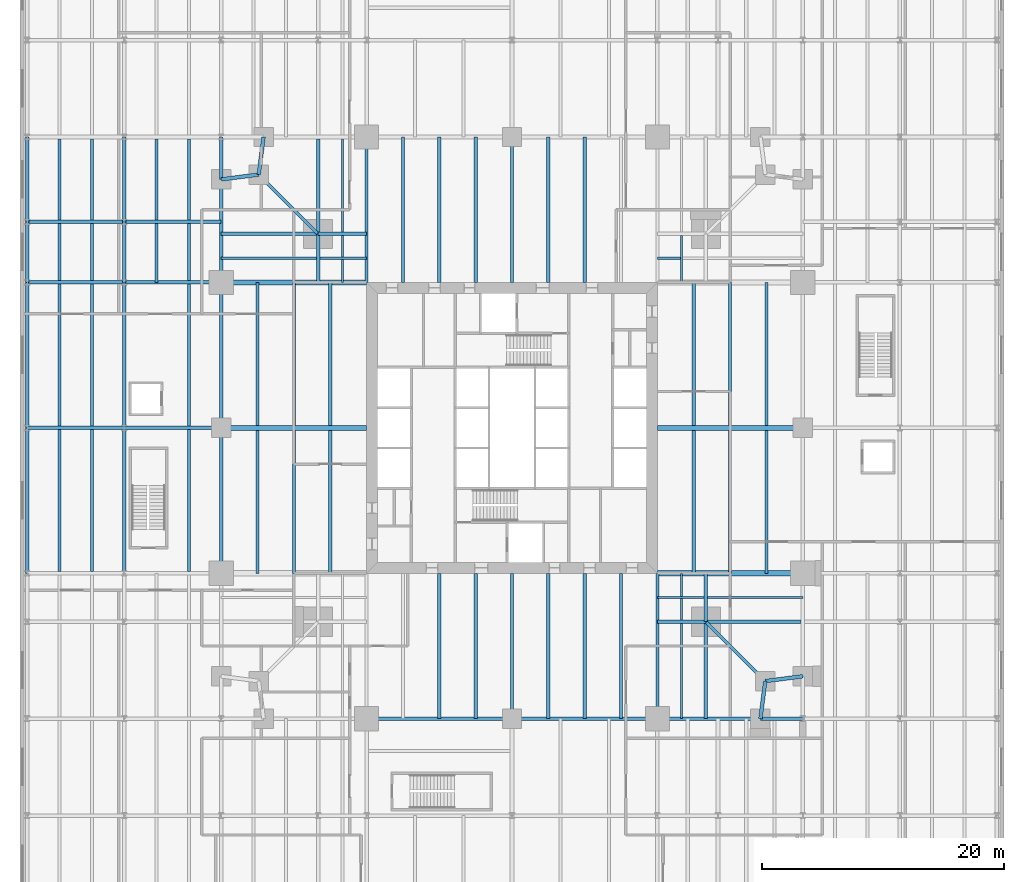
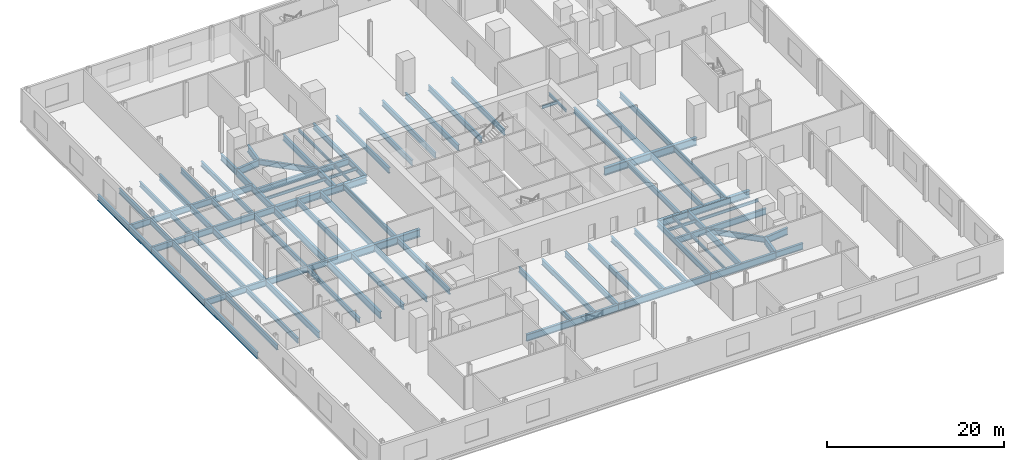
# One storey, part 5 of 16: 92 beams.
"""IFC4 building model written with IfcOpenShell, lengths in metres."""

import ifcopenshell
import ifcopenshell.guid

model = None  # the IFC model being written
_history = None  # IfcOwnerHistory: only IFC2X3 demands one
_inside = {}  # id of a spatial element -> (the spatial element, [elements in it])
_under = {}  # id of a project, library or spatial element -> (it, [spatial elements below it])
_declared = {}  # id of a project -> (the project, [libraries it declares])
_typed = {}  # id of a type object -> (the type object, [elements of that type])
_made_of = {}  # id of a material, layer set ... -> (it, [elements and type objects made of it])


def new_model(schema):
    """Start an empty IFC model of exactly this schema.

    Asked for "IFC4X3", IfcOpenShell would pick the latest addendum, in which some entities
    have other attributes; the version numbers below select the first issue.
    IFC2X3 requires an IfcOwnerHistory on every rooted entity: one is made here for all.
    """
    global model, _history
    if schema == "IFC4X3":
        model = ifcopenshell.file(schema_version=(4, 3, 0, 0))
    else:
        model = ifcopenshell.file(schema=schema)
    _inside.clear()
    _under.clear()
    _declared.clear()
    _typed.clear()
    _made_of.clear()
    _history = None
    if model.schema == "IFC2X3":
        org = make("IfcOrganization", Name="unknown")
        user = make(
            "IfcPersonAndOrganization",
            ThePerson=make("IfcPerson", FamilyName="unknown"),
            TheOrganization=org,
        )
        app = make(
            "IfcApplication",
            ApplicationDeveloper=org,
            Version="unknown",
            ApplicationFullName="unknown",
            ApplicationIdentifier="unknown",
        )
        _history = make(
            "IfcOwnerHistory",
            OwningUser=user,
            OwningApplication=app,
            ChangeAction="ADDED",
            CreationDate=0,
        )
    return model


def make(cls, **values):
    """One entity of the class cls with the attributes given. An attribute that is None is left unset."""
    return model.create_entity(
        cls, **{name: value for name, value in values.items() if value is not None}
    )


def rooted(cls, **values):
    """An entity with a GlobalId (a new one), such as an element, a storey or a relation."""
    return make(cls, GlobalId=ifcopenshell.guid.new(), OwnerHistory=_history, **values)


def si_unit(unit_type, name, prefix=None):
    """IfcSIUnit, for example si_unit("LENGTHUNIT", "METRE", prefix="MILLI")."""
    return make("IfcSIUnit", UnitType=unit_type, Prefix=prefix, Name=name)


def assignment(units):
    """IfcUnitAssignment: the units of a project."""
    return None if units is None else make("IfcUnitAssignment", Units=units)


def point(xyz):
    """IfcCartesianPoint."""
    return None if xyz is None else make("IfcCartesianPoint", Coordinates=xyz)


def direction(xyz):
    """IfcDirection."""
    return None if xyz is None else make("IfcDirection", DirectionRatios=xyz)


def frame(location, z_axis=None, x_axis=None):
    """IfcAxis2Placement3D, a coordinate frame: its origin and axes. An axis left out is left unset."""
    return make(
        "IfcAxis2Placement3D",
        Location=point(location),
        Axis=direction(z_axis),
        RefDirection=direction(x_axis),
    )


def frame_2d(location, x_axis=None):
    """IfcAxis2Placement2D, a coordinate frame in the plane: its origin and x axis."""
    return make(
        "IfcAxis2Placement2D", Location=point(location), RefDirection=direction(x_axis)
    )


def origin():
    """The frame at (0, 0, 0) with its axes left unset."""
    return frame((0.0, 0.0, 0.0))


def origin_2d():
    """The frame at (0, 0) in the plane with its x axis left unset."""
    return frame_2d((0.0, 0.0))


def place(relative_to, where):
    """IfcLocalPlacement: puts the frame where relative to a parent placement (None: the world)."""
    return make(
        "IfcLocalPlacement", PlacementRelTo=relative_to, RelativePlacement=where
    )


def context(
    kind, dimensions, precision=None, world=None, true_north=None, identifier=None
):
    """IfcGeometricRepresentationContext, for example the 3D "Model" context."""
    return make(
        "IfcGeometricRepresentationContext",
        ContextIdentifier=identifier,
        ContextType=kind,
        CoordinateSpaceDimension=dimensions,
        Precision=precision,
        WorldCoordinateSystem=world,
        TrueNorth=true_north,
    )


def subcontext(parent, identifier, kind, view, scale=None):
    """IfcGeometricRepresentationSubContext, for example "Body" below "Model"."""
    return make(
        "IfcGeometricRepresentationSubContext",
        ContextIdentifier=identifier,
        ContextType=kind,
        ParentContext=parent,
        TargetScale=scale,
        TargetView=view,
    )


def project(units=None, contexts=None):
    """IfcProject with its units and contexts."""
    return rooted(
        "IfcProject",
        Name="project",
        RepresentationContexts=contexts,
        UnitsInContext=assignment(units),
    )


def spatial(cls, under=None, at=None, **own):
    """A site, building, storey or space (cls), placed at a placement, below another one or the project."""
    s = rooted(cls, ObjectPlacement=at, **own)
    if under is not None:
        _under.setdefault(under.id(), (under, []))[1].append(s)
    return s


def profile(cls, at=None, kind="AREA", **sizes):
    """A parametric profile (cls). Its sizes go by their IFC names, for example OverallWidth=200.0."""
    return make(cls, ProfileType=kind, Position=at, **sizes)


def i_section(**sizes):
    """IfcIShapeProfileDef."""
    return profile("IfcIShapeProfileDef", **sizes)


def extrude(swept, where, along, depth):
    """IfcExtrudedAreaSolid: the profile swept, set in the frame where, extruded along a direction by depth."""
    return make(
        "IfcExtrudedAreaSolid",
        SweptArea=swept,
        Position=where,
        ExtrudedDirection=direction(along),
        Depth=depth,
    )


def shape(context_of_items, identifier, shape_type, items):
    """IfcShapeRepresentation: the items that make up one representation, for example the "Body"."""
    return make(
        "IfcShapeRepresentation",
        ContextOfItems=context_of_items,
        RepresentationIdentifier=identifier,
        RepresentationType=shape_type,
        Items=items,
    )


def material(Name=None, Category=None):
    """IfcMaterial."""
    return make("IfcMaterial", Name=Name, Category=Category)


def material_profile(
    of_material, cross_section, Name=None, Category=None, Priority=None
):
    """IfcMaterialProfile: a cross section and its material."""
    return make(
        "IfcMaterialProfile",
        Name=Name,
        Material=of_material,
        Profile=cross_section,
        Priority=Priority,
        Category=Category,
    )


def profile_set(profiles, Name=None, composite=None):
    """IfcMaterialProfileSet."""
    return make(
        "IfcMaterialProfileSet",
        Name=Name,
        MaterialProfiles=profiles,
        CompositeProfile=composite,
    )


def made_of(thing, what):
    """Note that an element or type object is made of a material, layer set ...; save() writes the relation."""
    if what is not None:
        _made_of.setdefault(what.id(), (what, []))[1].append(thing)
    return thing


def type_object(cls, material=None, **own):
    """A type object (cls), such as IfcWallType, which elements share."""
    return made_of(rooted(cls, **own), material)


def element(
    cls,
    number,
    at=None,
    inside=None,
    cuts=None,
    type_object=None,
    material=None,
    context=None,
    identifier="Body",
    shape_type=None,
    held_by="IfcProductDefinitionShape",
    body=None,
    shapes=None,
    **own,
):
    """One element of the class cls, such as IfcWall. Its Tag is "e" and its number.

    at: its placement. inside: the storey or other place that contains it. cuts: it is an
    opening in that element (IfcRelVoidsElement). A single representation is given by context,
    identifier, shape_type and body (its items); several are given by shapes. held_by: the class
    of the entity that holds the representations. save() writes the other relations.
    """
    e = rooted(cls, Tag="e%d" % number, ObjectPlacement=at, **own)
    if body is not None:
        shapes = [shape(context, identifier, shape_type, body)]
    if shapes is not None:
        e.Representation = make(held_by, Representations=shapes)
    if inside is not None:
        _inside.setdefault(inside.id(), (inside, []))[1].append(e)
    if cuts is not None:
        rooted(
            "IfcRelVoidsElement", RelatingBuildingElement=cuts, RelatedOpeningElement=e
        )
    if type_object is not None:
        _typed.setdefault(type_object.id(), (type_object, []))[1].append(e)
    return made_of(e, material)


def aggregate(whole, parts):
    """IfcRelAggregates: a whole, such as a stair, and the parts it consists of."""
    return rooted("IfcRelAggregates", RelatingObject=whole, RelatedObjects=parts)


def save(model, path):
    """Write the relations noted so far, then the file.

    IfcRelAggregates (storeys below a building ...), IfcRelContainedInSpatialStructure (elements
    in a storey), IfcRelDefinesByType, IfcRelAssociatesMaterial and IfcRelDeclares: one each for
    every whole, place, type object, material and project.
    """
    for whole, parts in _under.values():
        aggregate(whole, parts)
    for where, things in _inside.values():
        rooted(
            "IfcRelContainedInSpatialStructure",
            RelatedElements=things,
            RelatingStructure=where,
        )
    for kind, things in _typed.values():
        rooted("IfcRelDefinesByType", RelatedObjects=things, RelatingType=kind)
    for what, things in _made_of.values():
        rooted("IfcRelAssociatesMaterial", RelatedObjects=things, RelatingMaterial=what)
    for by, libraries in _declared.values():
        rooted("IfcRelDeclares", RelatingContext=by, RelatedDefinitions=libraries)
    model.write(path)


model = new_model("IFC4")

# Units and contexts
model_context = context("Model", 3, precision=1e-05, world=origin(), true_north=direction((0.0, 1.0)))
body_context = subcontext(model_context, "Body", "Model", "MODEL_VIEW")
ifc_project = project(units=[si_unit("LENGTHUNIT", "METRE"), si_unit("AREAUNIT", "SQUARE_METRE"), si_unit("VOLUMEUNIT", "CUBIC_METRE"), si_unit("PLANEANGLEUNIT", "RADIAN"), si_unit("MASSUNIT", "GRAM", prefix="KILO")], contexts=[model_context])

# Site, building, storey
site_placement = place(None, origin())
site = spatial("IfcSite", under=ifc_project, at=site_placement, CompositionType="ELEMENT")
building_placement = place(site_placement, origin())
building = spatial("IfcBuilding", under=site, at=building_placement, Name="Fenwick Lantern Interchange", CompositionType="ELEMENT")
storey_placement = place(building_placement, frame((0.0, 0.0, 7.0)))
storey = spatial("IfcBuildingStorey", under=building, at=storey_placement, Name="L01", CompositionType="ELEMENT", Elevation=7.0)

# Beams
ifc_material = material(Name="Steel ASTM A992 Grade 50", Category="steel")
ifc_material_profile_1 = material_profile(ifc_material, i_section(OverallWidth=0.309814453125, OverallDepth=0.949951171875, WebThickness=0.0244140625, FlangeThickness=0.0439453125, at=origin_2d()), Name="W36X256")
ifc_profile_set_1 = profile_set([ifc_material_profile_1], Name="Steel ASTM A992 Grade 50")
beam_type_1 = type_object("IfcBeamType", Name="EDGE BEAM W36X256", PredefinedType="SPANDREL", material=ifc_profile_set_1)
for number, where, z_axis, x_axis, name in (
    (1, (13.0, 1.0, -0.675048828125), (1.0, 0.0, 0.0), (0.0, 1.0, 0.0), "L01/FR/S/EB2"),
    (2, (25.0, 1.0, -0.675048828125), (1.0, 0.0, 0.0), (0.0, 1.0, 0.0), "L01/FR/S/EB3"),
):
    element("IfcBeam", number, at=place(storey_placement, frame(where, z_axis=z_axis, x_axis=x_axis)), inside=storey, type_object=beam_type_1, Name=name, PredefinedType="SPANDREL", context=body_context, shape_type="SweptSolid", body=[
        extrude(i_section(OverallWidth=0.309814453125, OverallDepth=0.949951171875, WebThickness=0.0244140625, FlangeThickness=0.0439453125, at=origin_2d()), origin(), (0.0, 0.0, 1.0), 12.0),
    ])
beam_1_placement = place(storey_placement, frame((37.0, 1.0, -0.675048828125), z_axis=(1.0, 0.0, 0.0), x_axis=(0.0, 1.0, 0.0)))
element("IfcBeam", 3, at=beam_1_placement, inside=storey, type_object=beam_type_1, Name="L01/FR/S/EB4", PredefinedType="SPANDREL", context=body_context, shape_type="SweptSolid", body=[
    extrude(i_section(OverallWidth=0.309814453125, OverallDepth=0.949951171875, WebThickness=0.0244140625, FlangeThickness=0.0439453125, at=origin_2d()), origin(), (0.0, 0.0, 1.0), 8.5),
])
for number, where, z_axis, x_axis, name in (
    (4, (45.5, 1.0, -0.675048828125), (0.127936641807, 0.991782342897, 0.0), (-0.991782342897, 0.127936641807, 0.0), "L01/FR/S/EBR1"),
    (5, (45.89990234375, 4.10009765625, -0.675048828125), (0.991782342897, 0.127936641807, 0.0), (-0.127936641807, 0.991782342897, 0.0), "L01/FR/S/EBR2"),
    (6, (4.5, 49.0, -0.675048828125), (-0.127936641807, -0.991782342897, 0.0), (0.991782342897, -0.127936641807, 0.0), "L01/FR/N/EBR1"),
    (7, (4.10009765625, 45.89990234375, -0.675048828125), (-0.991782342897, -0.127936641807, 0.0), (0.127936641807, -0.991782342897, 0.0), "L01/FR/N/EBR2"),
):
    element("IfcBeam", number, at=place(storey_placement, frame(where, z_axis=z_axis, x_axis=x_axis)), inside=storey, type_object=beam_type_1, Name=name, PredefinedType="SPANDREL", context=body_context, shape_type="SweptSolid", body=[
        extrude(i_section(OverallWidth=0.309814453125, OverallDepth=0.949951171875, WebThickness=0.0244140625, FlangeThickness=0.0439453125, at=origin_2d()), origin(), (0.0, 0.0, 1.0), 3.125732421875),
    ])
beam_2_placement = place(storey_placement, frame((1.0, 45.5, -0.675048828125), z_axis=(0.0, -1.0, 0.0), x_axis=(1.0, 0.0, 0.0)))
element("IfcBeam", 8, at=beam_2_placement, inside=storey, type_object=beam_type_1, Name="L01/FR/W/EB1", PredefinedType="SPANDREL", context=body_context, shape_type="SweptSolid", body=[
    extrude(i_section(OverallWidth=0.309814453125, OverallDepth=0.949951171875, WebThickness=0.0244140625, FlangeThickness=0.0439453125, at=origin_2d()), origin(), (0.0, 0.0, 1.0), 8.5),
])
for number, where, z_axis, x_axis, name in (
    (9, (1.0, 37.0, -0.675048828125), (0.0, -1.0, 0.0), (1.0, 0.0, 0.0), "L01/FR/W/EB2"),
    (10, (1.0, 25.0, -0.675048828125), (0.0, -1.0, 0.0), (1.0, 0.0, 0.0), "L01/FR/W/EB3"),
):
    element("IfcBeam", number, at=place(storey_placement, frame(where, z_axis=z_axis, x_axis=x_axis)), inside=storey, type_object=beam_type_1, Name=name, PredefinedType="SPANDREL", context=body_context, shape_type="SweptSolid", body=[
        extrude(i_section(OverallWidth=0.309814453125, OverallDepth=0.949951171875, WebThickness=0.0244140625, FlangeThickness=0.0439453125, at=origin_2d()), origin(), (0.0, 0.0, 1.0), 12.0),
    ])
ifc_material_profile_2 = material_profile(ifc_material, i_section(OverallWidth=0.2666015625, OverallDepth=0.7568359375, WebThickness=0.013916015625, FlangeThickness=0.019287109375, at=origin_2d()), Name="W30X108")
ifc_profile_set_2 = profile_set([ifc_material_profile_2], Name="Steel ASTM A992 Grade 50")
beam_type_2 = type_object("IfcBeamType", Name="FLOOR BEAM W30X108", PredefinedType="BEAM", material=ifc_profile_set_2)
for number, where, z_axis, x_axis, name in (
    (11, (19.0, 1.0, -0.578369140625), (0.0, 1.0, 0.0), (-1.0, 0.0, 0.0), "L01/FR/S/R03"),
    (12, (22.0, 1.0, -0.578369140625), (0.0, 1.0, 0.0), (-1.0, 0.0, 0.0), "L01/FR/S/R04"),
    (13, (28.0, 1.0, -0.578369140625), (0.0, 1.0, 0.0), (-1.0, 0.0, 0.0), "L01/FR/S/R06"),
    (14, (31.0, 1.0, -0.578369140625), (0.0, 1.0, 0.0), (-1.0, 0.0, 0.0), "L01/FR/S/R07"),
    (15, (34.0, 1.0, -0.578369140625), (0.0, 1.0, 0.0), (-1.0, 0.0, 0.0), "L01/FR/S/R08"),
):
    element("IfcBeam", number, at=place(storey_placement, frame(where, z_axis=z_axis, x_axis=x_axis)), inside=storey, type_object=beam_type_2, Name=name, PredefinedType="BEAM", context=body_context, shape_type="SweptSolid", body=[
        extrude(i_section(OverallWidth=0.2666015625, OverallDepth=0.7568359375, WebThickness=0.013916015625, FlangeThickness=0.019287109375, at=origin_2d()), origin(), (0.0, 0.0, 1.0), 12.0),
    ])
for number, where, z_axis, x_axis, name in (
    (16, (46.0, 13.0, -0.578369140625), (0.0, 1.0, 0.0), (-1.0, 0.0, 0.0), "L01/FR/E/B01"),
    (17, (43.0, 13.0, -0.578369140625), (0.0, 1.0, 0.0), (-1.0, 0.0, 0.0), "L01/FR/E/B02"),
    (18, (40.0, 13.0, -0.578369140625), (0.0, 1.0, 0.0), (-1.0, 0.0, 0.0), "L01/FR/E/B03"),
    (19, (46.0, 25.20458984375, -0.578369140625), (0.0, 1.0, 0.0), (-1.0, 0.0, 0.0), "L01/FR/E/B04"),
    (20, (43.0, 25.20458984375, -0.578369140625), (0.0, 1.0, 0.0), (-1.0, 0.0, 0.0), "L01/FR/E/B05"),
    (21, (40.0, 25.20458984375, -0.578369140625), (0.0, 1.0, 0.0), (-1.0, 0.0, 0.0), "L01/FR/E/B06"),
):
    element("IfcBeam", number, at=place(storey_placement, frame(where, z_axis=z_axis, x_axis=x_axis)), inside=storey, type_object=beam_type_2, Name=name, PredefinedType="BEAM", context=body_context, shape_type="SweptSolid", body=[
        extrude(i_section(OverallWidth=0.2666015625, OverallDepth=0.7568359375, WebThickness=0.013916015625, FlangeThickness=0.019287109375, at=origin_2d()), origin(), (0.0, 0.0, 1.0), 11.79541015625),
    ])
for number, where, z_axis, x_axis, name in (
    (22, (31.0, 49.0, -0.578369140625), (0.0, -1.0, 0.0), (1.0, 0.0, 0.0), "L01/FR/N/R03"),
    (23, (28.0, 49.0, -0.578369140625), (0.0, -1.0, 0.0), (1.0, 0.0, 0.0), "L01/FR/N/R04"),
    (24, (22.0, 49.0, -0.578369140625), (0.0, -1.0, 0.0), (1.0, 0.0, 0.0), "L01/FR/N/R06"),
    (25, (19.0, 49.0, -0.578369140625), (0.0, -1.0, 0.0), (1.0, 0.0, 0.0), "L01/FR/N/R07"),
    (26, (16.0, 49.0, -0.578369140625), (0.0, -1.0, 0.0), (1.0, 0.0, 0.0), "L01/FR/N/R08"),
):
    element("IfcBeam", number, at=place(storey_placement, frame(where, z_axis=z_axis, x_axis=x_axis)), inside=storey, type_object=beam_type_2, Name=name, PredefinedType="BEAM", context=body_context, shape_type="SweptSolid", body=[
        extrude(i_section(OverallWidth=0.2666015625, OverallDepth=0.7568359375, WebThickness=0.013916015625, FlangeThickness=0.019287109375, at=origin_2d()), origin(), (0.0, 0.0, 1.0), 12.0),
    ])
for number, where, z_axis, x_axis, name in (
    (27, (4.0, 37.0, -0.578369140625), (0.0, -1.0, 0.0), (1.0, 0.0, 0.0), "L01/FR/W/B01"),
    (28, (7.0, 37.0, -0.578369140625), (0.0, -1.0, 0.0), (1.0, 0.0, 0.0), "L01/FR/W/B02"),
    (29, (10.0, 37.0, -0.578369140625), (0.0, -1.0, 0.0), (1.0, 0.0, 0.0), "L01/FR/W/B03"),
    (30, (4.0, 24.79541015625, -0.578369140625), (0.0, -1.0, 0.0), (1.0, 0.0, 0.0), "L01/FR/W/B04"),
    (31, (7.0, 24.79541015625, -0.578369140625), (0.0, -1.0, 0.0), (1.0, 0.0, 0.0), "L01/FR/W/B05"),
    (32, (10.0, 24.79541015625, -0.578369140625), (0.0, -1.0, 0.0), (1.0, 0.0, 0.0), "L01/FR/W/B06"),
):
    element("IfcBeam", number, at=place(storey_placement, frame(where, z_axis=z_axis, x_axis=x_axis)), inside=storey, type_object=beam_type_2, Name=name, PredefinedType="BEAM", context=body_context, shape_type="SweptSolid", body=[
        extrude(i_section(OverallWidth=0.2666015625, OverallDepth=0.7568359375, WebThickness=0.013916015625, FlangeThickness=0.019287109375, at=origin_2d()), origin(), (0.0, 0.0, 1.0), 11.79541015625),
    ])
ifc_material_profile_3 = material_profile(ifc_material, i_section(OverallWidth=0.177734375, OverallDepth=0.406494140625, WebThickness=0.0078125, FlangeThickness=0.012939453125, at=origin_2d()), Name="W16X40")
ifc_profile_set_3 = profile_set([ifc_material_profile_3], Name="Steel ASTM A992 Grade 50")
beam_type_3 = type_object("IfcBeamType", Name="INFILL BEAM W16X40", PredefinedType="JOIST", material=ifc_profile_set_3)
beam_3_placement = place(storey_placement, frame((49.0, 11.0, -0.4033203125), z_axis=(-1.0, 0.0, 0.0), x_axis=(0.0, -1.0, 0.0)))
element("IfcBeam", 33, at=beam_3_placement, inside=storey, type_object=beam_type_3, Name="L01/FR/E/J1", PredefinedType="JOIST", context=body_context, shape_type="SweptSolid", body=[
    extrude(i_section(OverallWidth=0.177734375, OverallDepth=0.406494140625, WebThickness=0.0078125, FlangeThickness=0.012939453125, at=origin_2d()), origin(), (0.0, 0.0, 1.0), 7.85400390625),
])
beam_4_placement = place(storey_placement, frame((40.85400390625, 11.0, -0.4033203125), z_axis=(-1.0, 0.0, 0.0), x_axis=(0.0, -1.0, 0.0)))
element("IfcBeam", 34, at=beam_4_placement, inside=storey, type_object=beam_type_3, Name="L01/FR/E/J2", PredefinedType="JOIST", context=body_context, shape_type="SweptSolid", body=[
    extrude(i_section(OverallWidth=0.177734375, OverallDepth=0.406494140625, WebThickness=0.0078125, FlangeThickness=0.012939453125, at=origin_2d()), origin(), (0.0, 0.0, 1.0), 3.85400390625),
])
beam_5_placement = place(storey_placement, frame((39.0, 1.0, -0.4033203125), z_axis=(0.0, 1.0, 0.0), x_axis=(-1.0, 0.0, 0.0)))
element("IfcBeam", 35, at=beam_5_placement, inside=storey, type_object=beam_type_3, Name="L01/FR/E/J3", PredefinedType="JOIST", context=body_context, shape_type="SweptSolid", body=[
    extrude(i_section(OverallWidth=0.177734375, OverallDepth=0.406494140625, WebThickness=0.0078125, FlangeThickness=0.012939453125, at=origin_2d()), origin(), (0.0, 0.0, 1.0), 7.85400390625),
])
beam_6_placement = place(storey_placement, frame((39.0, 9.14599609375, -0.4033203125), z_axis=(0.0, 1.0, 0.0), x_axis=(-1.0, 0.0, 0.0)))
element("IfcBeam", 36, at=beam_6_placement, inside=storey, type_object=beam_type_3, Name="L01/FR/E/J4", PredefinedType="JOIST", context=body_context, shape_type="SweptSolid", body=[
    extrude(i_section(OverallWidth=0.177734375, OverallDepth=0.406494140625, WebThickness=0.0078125, FlangeThickness=0.012939453125, at=origin_2d()), origin(), (0.0, 0.0, 1.0), 1.76513671875),
])
beam_7_placement = place(storey_placement, frame((39.0, 11.0888671875, -0.4033203125), z_axis=(0.0, 1.0, 0.0), x_axis=(-1.0, 0.0, 0.0)))
element("IfcBeam", 37, at=beam_7_placement, inside=storey, type_object=beam_type_3, Name="L01/FR/E/J5", PredefinedType="JOIST", context=body_context, shape_type="SweptSolid", body=[
    extrude(i_section(OverallWidth=0.177734375, OverallDepth=0.406494140625, WebThickness=0.0078125, FlangeThickness=0.012939453125, at=origin_2d()), origin(), (0.0, 0.0, 1.0), 1.9111328125),
])
beam_8_placement = place(storey_placement, frame((39.0, 40.85400390625, -0.4033203125), z_axis=(0.0, -1.0, 0.0), x_axis=(1.0, 0.0, 0.0)))
element("IfcBeam", 38, at=beam_8_placement, inside=storey, type_object=beam_type_3, Name="L01/FR/N/J2", PredefinedType="JOIST", context=body_context, shape_type="SweptSolid", body=[
    extrude(i_section(OverallWidth=0.177734375, OverallDepth=0.406494140625, WebThickness=0.0078125, FlangeThickness=0.012939453125, at=origin_2d()), origin(), (0.0, 0.0, 1.0), 3.85400390625),
])
beam_9_placement = place(storey_placement, frame((38.9111328125, 39.0, -0.4033203125), z_axis=(-1.0, 0.0, 0.0), x_axis=(0.0, -1.0, 0.0)))
element("IfcBeam", 39, at=beam_9_placement, inside=storey, type_object=beam_type_3, Name="L01/FR/N/J5", PredefinedType="JOIST", context=body_context, shape_type="SweptSolid", body=[
    extrude(i_section(OverallWidth=0.177734375, OverallDepth=0.406494140625, WebThickness=0.0078125, FlangeThickness=0.012939453125, at=origin_2d()), origin(), (0.0, 0.0, 1.0), 1.9111328125),
])
beam_10_placement = place(storey_placement, frame((1.0, 39.0, -0.4033203125), z_axis=(1.0, 0.0, 0.0), x_axis=(0.0, 1.0, 0.0)))
element("IfcBeam", 40, at=beam_10_placement, inside=storey, type_object=beam_type_3, Name="L01/FR/W/J1", PredefinedType="JOIST", context=body_context, shape_type="SweptSolid", body=[
    extrude(i_section(OverallWidth=0.177734375, OverallDepth=0.406494140625, WebThickness=0.0078125, FlangeThickness=0.012939453125, at=origin_2d()), origin(), (0.0, 0.0, 1.0), 7.85400390625),
])
beam_11_placement = place(storey_placement, frame((9.14599609375, 39.0, -0.4033203125), z_axis=(1.0, 0.0, 0.0), x_axis=(0.0, 1.0, 0.0)))
element("IfcBeam", 41, at=beam_11_placement, inside=storey, type_object=beam_type_3, Name="L01/FR/W/J2", PredefinedType="JOIST", context=body_context, shape_type="SweptSolid", body=[
    extrude(i_section(OverallWidth=0.177734375, OverallDepth=0.406494140625, WebThickness=0.0078125, FlangeThickness=0.012939453125, at=origin_2d()), origin(), (0.0, 0.0, 1.0), 3.85400390625),
])
beam_12_placement = place(storey_placement, frame((11.0, 48.844970703125, -0.4033203125), z_axis=(0.0, -1.0, 0.0), x_axis=(1.0, 0.0, 0.0)))
element("IfcBeam", 42, at=beam_12_placement, inside=storey, type_object=beam_type_3, Name="L01/FR/W/J3", PredefinedType="JOIST", context=body_context, shape_type="SweptSolid", body=[
    extrude(i_section(OverallWidth=0.177734375, OverallDepth=0.406494140625, WebThickness=0.0078125, FlangeThickness=0.012939453125, at=origin_2d()), origin(), (0.0, 0.0, 1.0), 7.698974609375),
])
beam_13_placement = place(storey_placement, frame((11.0, 40.85400390625, -0.4033203125), z_axis=(0.0, -1.0, 0.0), x_axis=(1.0, 0.0, 0.0)))
element("IfcBeam", 43, at=beam_13_placement, inside=storey, type_object=beam_type_3, Name="L01/FR/W/J4", PredefinedType="JOIST", context=body_context, shape_type="SweptSolid", body=[
    extrude(i_section(OverallWidth=0.177734375, OverallDepth=0.406494140625, WebThickness=0.0078125, FlangeThickness=0.012939453125, at=origin_2d()), origin(), (0.0, 0.0, 1.0), 1.76513671875),
])
beam_14_placement = place(storey_placement, frame((11.0, 38.9111328125, -0.4033203125), z_axis=(0.0, -1.0, 0.0), x_axis=(1.0, 0.0, 0.0)))
element("IfcBeam", 44, at=beam_14_placement, inside=storey, type_object=beam_type_3, Name="L01/FR/W/J5", PredefinedType="JOIST", context=body_context, shape_type="SweptSolid", body=[
    extrude(i_section(OverallWidth=0.177734375, OverallDepth=0.406494140625, WebThickness=0.0078125, FlangeThickness=0.012939453125, at=origin_2d()), origin(), (0.0, 0.0, 1.0), 1.9111328125),
])
ifc_material_profile_4 = material_profile(ifc_material, i_section(OverallWidth=0.2919921875, OverallDepth=0.845703125, WebThickness=0.015380859375, FlangeThickness=0.0244140625, at=origin_2d()), Name="W33X141")
ifc_profile_set_4 = profile_set([ifc_material_profile_4], Name="Steel ASTM A992 Grade 50")
beam_type_4 = type_object("IfcBeamType", Name="MEGA COLUMN BEAM W33X141", PredefinedType="BEAM", material=ifc_profile_set_4)
beam_15_placement = place(storey_placement, frame((41.0, 9.0, -0.622802734375), z_axis=(1.0, 0.0, 0.0), x_axis=(0.0, 1.0, 0.0)))
element("IfcBeam", 45, at=beam_15_placement, inside=storey, type_object=beam_type_4, Name="L01/FR/E/MB1", PredefinedType="BEAM", context=body_context, shape_type="SweptSolid", body=[
    extrude(i_section(OverallWidth=0.2919921875, OverallDepth=0.845703125, WebThickness=0.015380859375, FlangeThickness=0.0244140625, at=origin_2d()), origin(), (0.0, 0.0, 1.0), 7.844970703125),
])
beam_16_placement = place(storey_placement, frame((41.0, 9.0, -0.622802734375), z_axis=(0.0, -1.0, 0.0), x_axis=(1.0, 0.0, 0.0)))
element("IfcBeam", 46, at=beam_16_placement, inside=storey, type_object=beam_type_4, Name="L01/FR/E/MB2", PredefinedType="BEAM", context=body_context, shape_type="SweptSolid", body=[
    extrude(i_section(OverallWidth=0.2919921875, OverallDepth=0.845703125, WebThickness=0.015380859375, FlangeThickness=0.0244140625, at=origin_2d()), origin(), (0.0, 0.0, 1.0), 8.0),
])
for number, where, z_axis, x_axis, name in (
    (47, (41.0, 9.0, -0.622802734375), (0.0, 1.0, 0.0), (-1.0, 0.0, 0.0), "L01/FR/E/MB3"),
    (48, (41.0, 9.0, -0.622802734375), (-1.0, 0.0, 0.0), (0.0, -1.0, 0.0), "L01/FR/E/MB4"),
):
    element("IfcBeam", number, at=place(storey_placement, frame(where, z_axis=z_axis, x_axis=x_axis)), inside=storey, type_object=beam_type_4, Name=name, PredefinedType="BEAM", context=body_context, shape_type="SweptSolid", body=[
        extrude(i_section(OverallWidth=0.2919921875, OverallDepth=0.845703125, WebThickness=0.015380859375, FlangeThickness=0.0244140625, at=origin_2d()), origin(), (0.0, 0.0, 1.0), 4.0),
    ])
beam_17_placement = place(storey_placement, frame((9.0, 41.0, -0.622802734375), z_axis=(-1.0, 0.0, 0.0), x_axis=(0.0, -1.0, 0.0)))
element("IfcBeam", 49, at=beam_17_placement, inside=storey, type_object=beam_type_4, Name="L01/FR/W/MB1", PredefinedType="BEAM", context=body_context, shape_type="SweptSolid", body=[
    extrude(i_section(OverallWidth=0.2919921875, OverallDepth=0.845703125, WebThickness=0.015380859375, FlangeThickness=0.0244140625, at=origin_2d()), origin(), (0.0, 0.0, 1.0), 8.0),
])
beam_18_placement = place(storey_placement, frame((9.0, 41.0, -0.622802734375), z_axis=(0.0, 1.0, 0.0), x_axis=(-1.0, 0.0, 0.0)))
element("IfcBeam", 50, at=beam_18_placement, inside=storey, type_object=beam_type_4, Name="L01/FR/W/MB2", PredefinedType="BEAM", context=body_context, shape_type="SweptSolid", body=[
    extrude(i_section(OverallWidth=0.2919921875, OverallDepth=0.845703125, WebThickness=0.015380859375, FlangeThickness=0.0244140625, at=origin_2d()), origin(), (0.0, 0.0, 1.0), 7.844970703125),
])
for number, where, z_axis, x_axis, name in (
    (51, (9.0, 41.0, -0.622802734375), (0.0, -1.0, 0.0), (1.0, 0.0, 0.0), "L01/FR/W/MB3"),
    (52, (9.0, 41.0, -0.622802734375), (1.0, 0.0, 0.0), (0.0, 1.0, 0.0), "L01/FR/W/MB4"),
):
    element("IfcBeam", number, at=place(storey_placement, frame(where, z_axis=z_axis, x_axis=x_axis)), inside=storey, type_object=beam_type_4, Name=name, PredefinedType="BEAM", context=body_context, shape_type="SweptSolid", body=[
        extrude(i_section(OverallWidth=0.2919921875, OverallDepth=0.845703125, WebThickness=0.015380859375, FlangeThickness=0.0244140625, at=origin_2d()), origin(), (0.0, 0.0, 1.0), 4.0),
    ])
ifc_material_profile_5 = material_profile(ifc_material, i_section(OverallWidth=0.2666015625, OverallDepth=0.76953125, WebThickness=0.015625, FlangeThickness=0.025390625, at=origin_2d()), Name="W30X132")
ifc_profile_set_5 = profile_set([ifc_material_profile_5], Name="Steel ASTM A992 Grade 50")
beam_type_5 = type_object("IfcBeamType", Name="MOMENT-CONNECTED GIRDER W30X132", PredefinedType="BEAM", material=ifc_profile_set_5)
for number, where, z_axis, x_axis, name in (
    (53, (25.0, 1.0, -0.584716796875), (0.0, 1.0, 0.0), (-1.0, 0.0, 0.0), "L01/FR/S/R05"),
    (54, (37.0, 1.0, -0.584716796875), (0.0, 1.0, 0.0), (-1.0, 0.0, 0.0), "L01/FR/S/R09"),
    (55, (25.0, 49.0, -0.584716796875), (0.0, -1.0, 0.0), (1.0, 0.0, 0.0), "L01/FR/N/R05"),
    (56, (13.0, 49.0, -0.584716796875), (0.0, -1.0, 0.0), (1.0, 0.0, 0.0), "L01/FR/N/R09"),
):
    element("IfcBeam", number, at=place(storey_placement, frame(where, z_axis=z_axis, x_axis=x_axis)), inside=storey, type_object=beam_type_5, Name=name, PredefinedType="BEAM", context=body_context, shape_type="SweptSolid", body=[
        extrude(i_section(OverallWidth=0.2666015625, OverallDepth=0.76953125, WebThickness=0.015625, FlangeThickness=0.025390625, at=origin_2d()), origin(), (0.0, 0.0, 1.0), 12.0),
    ])
ifc_material_profile_6 = material_profile(ifc_material, i_section(OverallWidth=0.424072265625, OverallDepth=0.947509765625, WebThickness=0.02392578125, FlangeThickness=0.042724609375, at=origin_2d()), Name="W36X302")
ifc_profile_set_6 = profile_set([ifc_material_profile_6], Name="Steel ASTM A992 Grade 50")
beam_type_6 = type_object("IfcBeamType", Name="MOMENT-CONNECTED GIRDER W36X302", PredefinedType="BEAM", material=ifc_profile_set_6)
for number, where, z_axis, x_axis, name in (
    (57, (49.0, 13.0, -0.673828125), (-1.0, 0.0, 0.0), (0.0, -1.0, 0.0), "L01/FR/E/R01"),
    (58, (1.0, 37.0, -0.673828125), (1.0, 0.0, 0.0), (0.0, 1.0, 0.0), "L01/FR/W/R01"),
):
    element("IfcBeam", number, at=place(storey_placement, frame(where, z_axis=z_axis, x_axis=x_axis)), inside=storey, type_object=beam_type_6, Name=name, PredefinedType="BEAM", context=body_context, shape_type="SweptSolid", body=[
        extrude(i_section(OverallWidth=0.424072265625, OverallDepth=0.947509765625, WebThickness=0.02392578125, FlangeThickness=0.042724609375, at=origin_2d()), origin(), (0.0, 0.0, 1.0), 12.0),
    ])
ifc_material_profile_7 = material_profile(ifc_material, i_section(OverallWidth=0.408935546875, OverallDepth=1.04150390625, WebThickness=0.031005859375, FlangeThickness=0.055908203125, at=origin_2d()), Name="W40X397")
ifc_profile_set_7 = profile_set([ifc_material_profile_7], Name="Steel ASTM A992 Grade 50")
beam_type_7 = type_object("IfcBeamType", Name="MOMENT-CONNECTED GIRDER W40X397", PredefinedType="BEAM", material=ifc_profile_set_7)
for number, where, z_axis, x_axis, name in (
    (59, (49.0, 25.0, -0.720703125), (-1.0, 0.0, 0.0), (0.0, -1.0, 0.0), "L01/FR/E/R02"),
    (60, (1.0, 25.0, -0.720703125), (1.0, 0.0, 0.0), (0.0, 1.0, 0.0), "L01/FR/W/R02"),
):
    element("IfcBeam", number, at=place(storey_placement, frame(where, z_axis=z_axis, x_axis=x_axis)), inside=storey, type_object=beam_type_7, Name=name, PredefinedType="BEAM", context=body_context, shape_type="SweptSolid", body=[
        extrude(i_section(OverallWidth=0.408935546875, OverallDepth=1.04150390625, WebThickness=0.031005859375, FlangeThickness=0.055908203125, at=origin_2d()), origin(), (0.0, 0.0, 1.0), 12.0),
    ])
ifc_material_profile_8 = material_profile(ifc_material, i_section(OverallWidth=0.2919921875, OverallDepth=0.845703125, WebThickness=0.015380859375, FlangeThickness=0.0244140625, at=origin_2d()), Name="W33X141")
ifc_profile_set_8 = profile_set([ifc_material_profile_8], Name="Steel ASTM A992 Grade 50")
beam_type_8 = type_object("IfcBeamType", Name="MOMENT-CONNECTED PODIUM GIRDER W33X141", PredefinedType="BEAM", material=ifc_profile_set_8)
beam_19_placement = place(storey_placement, frame((45.5, 1.0, -0.622802734375), z_axis=(1.0, 0.0, 0.0), x_axis=(0.0, 1.0, 0.0)))
element("IfcBeam", 61, at=beam_19_placement, inside=storey, type_object=beam_type_8, Name="L01/PF/G024", PredefinedType="BEAM", context=body_context, shape_type="SweptSolid", body=[
    extrude(i_section(OverallWidth=0.2919921875, OverallDepth=0.845703125, WebThickness=0.015380859375, FlangeThickness=0.0244140625, at=origin_2d()), origin(), (0.0, 0.0, 1.0), 3.5),
])
for number, where, z_axis, x_axis, name in (
    (62, (-15.0, 25.0, -0.622802734375), (1.0, 0.0, 0.0), (0.0, 1.0, 0.0), "L01/PF/G035"),
    (63, (-7.0, 25.0, -0.622802734375), (1.0, 0.0, 0.0), (0.0, 1.0, 0.0), "L01/PF/G036"),
    (64, (-15.0, 37.0, -0.622802734375), (1.0, 0.0, 0.0), (0.0, 1.0, 0.0), "L01/PF/G039"),
    (65, (-7.0, 37.0, -0.622802734375), (1.0, 0.0, 0.0), (0.0, 1.0, 0.0), "L01/PF/G040"),
    (66, (-15.0, 42.0, -0.622802734375), (1.0, 0.0, 0.0), (0.0, 1.0, 0.0), "L01/PF/G043"),
    (67, (-7.0, 42.0, -0.622802734375), (1.0, 0.0, 0.0), (0.0, 1.0, 0.0), "L01/PF/G044"),
):
    element("IfcBeam", number, at=place(storey_placement, frame(where, z_axis=z_axis, x_axis=x_axis)), inside=storey, type_object=beam_type_8, Name=name, PredefinedType="BEAM", context=body_context, shape_type="SweptSolid", body=[
        extrude(i_section(OverallWidth=0.2919921875, OverallDepth=0.845703125, WebThickness=0.015380859375, FlangeThickness=0.0244140625, at=origin_2d()), origin(), (0.0, 0.0, 1.0), 8.0),
    ])
for number, where, z_axis, x_axis, name in (
    (68, (-15.0, 13.0, -0.622802734375), (0.0, 1.0, 0.0), (-1.0, 0.0, 0.0), "L01/PF/G077"),
    (69, (-15.0, 25.0, -0.622802734375), (0.0, 1.0, 0.0), (-1.0, 0.0, 0.0), "L01/PF/G078"),
):
    element("IfcBeam", number, at=place(storey_placement, frame(where, z_axis=z_axis, x_axis=x_axis)), inside=storey, type_object=beam_type_8, Name=name, PredefinedType="BEAM", context=body_context, shape_type="SweptSolid", body=[
        extrude(i_section(OverallWidth=0.2919921875, OverallDepth=0.845703125, WebThickness=0.015380859375, FlangeThickness=0.0244140625, at=origin_2d()), origin(), (0.0, 0.0, 1.0), 12.0),
    ])
beam_20_placement = place(storey_placement, frame((-15.0, 37.0, -0.622802734375), z_axis=(0.0, 1.0, 0.0), x_axis=(-1.0, 0.0, 0.0)))
element("IfcBeam", 70, at=beam_20_placement, inside=storey, type_object=beam_type_8, Name="L01/PF/G079", PredefinedType="BEAM", context=body_context, shape_type="SweptSolid", body=[
    extrude(i_section(OverallWidth=0.2919921875, OverallDepth=0.845703125, WebThickness=0.015380859375, FlangeThickness=0.0244140625, at=origin_2d()), origin(), (0.0, 0.0, 1.0), 5.0),
])
beam_21_placement = place(storey_placement, frame((-15.0, 42.0, -0.622802734375), z_axis=(0.0, 1.0, 0.0), x_axis=(-1.0, 0.0, 0.0)))
element("IfcBeam", 71, at=beam_21_placement, inside=storey, type_object=beam_type_8, Name="L01/PF/G080", PredefinedType="BEAM", context=body_context, shape_type="SweptSolid", body=[
    extrude(i_section(OverallWidth=0.2919921875, OverallDepth=0.845703125, WebThickness=0.015380859375, FlangeThickness=0.0244140625, at=origin_2d()), origin(), (0.0, 0.0, 1.0), 7.0),
])
for number, where, z_axis, x_axis, name in (
    (72, (-7.0, 13.0, -0.622802734375), (0.0, 1.0, 0.0), (-1.0, 0.0, 0.0), "L01/PF/G087"),
    (73, (-7.0, 25.0, -0.622802734375), (0.0, 1.0, 0.0), (-1.0, 0.0, 0.0), "L01/PF/G088"),
):
    element("IfcBeam", number, at=place(storey_placement, frame(where, z_axis=z_axis, x_axis=x_axis)), inside=storey, type_object=beam_type_8, Name=name, PredefinedType="BEAM", context=body_context, shape_type="SweptSolid", body=[
        extrude(i_section(OverallWidth=0.2919921875, OverallDepth=0.845703125, WebThickness=0.015380859375, FlangeThickness=0.0244140625, at=origin_2d()), origin(), (0.0, 0.0, 1.0), 12.0),
    ])
beam_22_placement = place(storey_placement, frame((-7.0, 37.0, -0.622802734375), z_axis=(0.0, 1.0, 0.0), x_axis=(-1.0, 0.0, 0.0)))
element("IfcBeam", 74, at=beam_22_placement, inside=storey, type_object=beam_type_8, Name="L01/PF/G089", PredefinedType="BEAM", context=body_context, shape_type="SweptSolid", body=[
    extrude(i_section(OverallWidth=0.2919921875, OverallDepth=0.845703125, WebThickness=0.015380859375, FlangeThickness=0.0244140625, at=origin_2d()), origin(), (0.0, 0.0, 1.0), 5.0),
])
beam_23_placement = place(storey_placement, frame((-7.0, 42.0, -0.622802734375), z_axis=(0.0, 1.0, 0.0), x_axis=(-1.0, 0.0, 0.0)))
element("IfcBeam", 75, at=beam_23_placement, inside=storey, type_object=beam_type_8, Name="L01/PF/G090", PredefinedType="BEAM", context=body_context, shape_type="SweptSolid", body=[
    extrude(i_section(OverallWidth=0.2919921875, OverallDepth=0.845703125, WebThickness=0.015380859375, FlangeThickness=0.0244140625, at=origin_2d()), origin(), (0.0, 0.0, 1.0), 7.0),
])
beam_24_placement = place(storey_placement, frame((1.0, 45.5, -0.622802734375), z_axis=(0.0, 1.0, 0.0), x_axis=(-1.0, 0.0, 0.0)))
element("IfcBeam", 76, at=beam_24_placement, inside=storey, type_object=beam_type_8, Name="L01/PF/G096", PredefinedType="BEAM", context=body_context, shape_type="SweptSolid", body=[
    extrude(i_section(OverallWidth=0.2919921875, OverallDepth=0.845703125, WebThickness=0.015380859375, FlangeThickness=0.0244140625, at=origin_2d()), origin(), (0.0, 0.0, 1.0), 3.5),
])
ifc_material_profile_9 = material_profile(ifc_material, i_section(OverallWidth=0.2666015625, OverallDepth=0.7568359375, WebThickness=0.013916015625, FlangeThickness=0.019287109375, at=origin_2d()), Name="W30X108")
ifc_profile_set_9 = profile_set([ifc_material_profile_9], Name="Steel ASTM A992 Grade 50")
beam_type_9 = type_object("IfcBeamType", Name="NOTCH BEAM W30X108", PredefinedType="BEAM", material=ifc_profile_set_9)
for number, where, z_axis, x_axis, name in (
    (77, (41.0, 9.0, -0.578369140625), (0.707106781187, -0.707106781187, 0.0), (0.707106781187, 0.707106781187, 0.0), "L01/FR/E/TG"),
    (78, (9.0, 41.0, -0.578369140625), (-0.707106781187, 0.707106781187, 0.0), (-0.707106781187, -0.707106781187, 0.0), "L01/FR/W/TG"),
):
    element("IfcBeam", number, at=place(storey_placement, frame(where, z_axis=z_axis, x_axis=x_axis)), inside=storey, type_object=beam_type_9, Name=name, PredefinedType="BEAM", context=body_context, shape_type="SweptSolid", body=[
        extrude(i_section(OverallWidth=0.2666015625, OverallDepth=0.7568359375, WebThickness=0.013916015625, FlangeThickness=0.019287109375, at=origin_2d()), origin(), (0.0, 0.0, 1.0), 6.929443359375),
    ])
ifc_material_profile_10 = material_profile(ifc_material, i_section(OverallWidth=0.25390625, OverallDepth=0.683349609375, WebThickness=0.012451171875, FlangeThickness=0.01904296875, at=origin_2d()), Name="W27X94")
ifc_profile_set_10 = profile_set([ifc_material_profile_10], Name="Steel ASTM A992 Grade 50")
beam_type_10 = type_object("IfcBeamType", Name="PODIUM BEAM W27X94", PredefinedType="JOIST", material=ifc_profile_set_10)
for number, where, z_axis, x_axis, name in (
    (79, (-12.333251953125, 13.14599609375, -0.541748046875), (0.0, 1.0, 0.0), (-1.0, 0.0, 0.0), "L01/PF/J153"),
    (80, (-9.666748046875, 13.14599609375, -0.541748046875), (0.0, 1.0, 0.0), (-1.0, 0.0, 0.0), "L01/PF/J154"),
    (81, (-12.333251953125, 25.14599609375, -0.541748046875), (0.0, 1.0, 0.0), (-1.0, 0.0, 0.0), "L01/PF/J155"),
    (82, (-9.666748046875, 25.14599609375, -0.541748046875), (0.0, 1.0, 0.0), (-1.0, 0.0, 0.0), "L01/PF/J156"),
):
    element("IfcBeam", number, at=place(storey_placement, frame(where, z_axis=z_axis, x_axis=x_axis)), inside=storey, type_object=beam_type_10, Name=name, PredefinedType="JOIST", context=body_context, shape_type="SweptSolid", body=[
        extrude(i_section(OverallWidth=0.25390625, OverallDepth=0.683349609375, WebThickness=0.012451171875, FlangeThickness=0.01904296875, at=origin_2d()), origin(), (0.0, 0.0, 1.0), 11.7080078125),
    ])
for number, where, z_axis, x_axis, name in (
    (83, (-12.333251953125, 37.14599609375, -0.541748046875), (0.0, 1.0, 0.0), (-1.0, 0.0, 0.0), "L01/PF/J157"),
    (84, (-9.666748046875, 37.14599609375, -0.541748046875), (0.0, 1.0, 0.0), (-1.0, 0.0, 0.0), "L01/PF/J158"),
):
    element("IfcBeam", number, at=place(storey_placement, frame(where, z_axis=z_axis, x_axis=x_axis)), inside=storey, type_object=beam_type_10, Name=name, PredefinedType="JOIST", context=body_context, shape_type="SweptSolid", body=[
        extrude(i_section(OverallWidth=0.25390625, OverallDepth=0.683349609375, WebThickness=0.012451171875, FlangeThickness=0.01904296875, at=origin_2d()), origin(), (0.0, 0.0, 1.0), 4.7080078125),
    ])
for number, where, z_axis, x_axis, name in (
    (85, (-12.333251953125, 42.14599609375, -0.541748046875), (0.0, 1.0, 0.0), (-1.0, 0.0, 0.0), "L01/PF/J159"),
    (86, (-9.666748046875, 42.14599609375, -0.541748046875), (0.0, 1.0, 0.0), (-1.0, 0.0, 0.0), "L01/PF/J160"),
):
    element("IfcBeam", number, at=place(storey_placement, frame(where, z_axis=z_axis, x_axis=x_axis)), inside=storey, type_object=beam_type_10, Name=name, PredefinedType="JOIST", context=body_context, shape_type="SweptSolid", body=[
        extrude(i_section(OverallWidth=0.25390625, OverallDepth=0.683349609375, WebThickness=0.012451171875, FlangeThickness=0.01904296875, at=origin_2d()), origin(), (0.0, 0.0, 1.0), 6.7080078125),
    ])
for number, where, z_axis, x_axis, name in (
    (87, (-1.666748046875, 13.14599609375, -0.541748046875), (0.0, 1.0, 0.0), (-1.0, 0.0, 0.0), "L01/PF/J173"),
    (88, (-1.666748046875, 25.14599609375, -0.541748046875), (0.0, 1.0, 0.0), (-1.0, 0.0, 0.0), "L01/PF/J174"),
):
    element("IfcBeam", number, at=place(storey_placement, frame(where, z_axis=z_axis, x_axis=x_axis)), inside=storey, type_object=beam_type_10, Name=name, PredefinedType="JOIST", context=body_context, shape_type="SweptSolid", body=[
        extrude(i_section(OverallWidth=0.25390625, OverallDepth=0.683349609375, WebThickness=0.012451171875, FlangeThickness=0.01904296875, at=origin_2d()), origin(), (0.0, 0.0, 1.0), 11.7080078125),
    ])
beam_25_placement = place(storey_placement, frame((-4.333251953125, 37.0, -0.541748046875), z_axis=(0.0, 1.0, 0.0), x_axis=(-1.0, 0.0, 0.0)))
element("IfcBeam", 89, at=beam_25_placement, inside=storey, type_object=beam_type_10, Name="L01/PF/J175", PredefinedType="JOIST", context=body_context, shape_type="SweptSolid", body=[
    extrude(i_section(OverallWidth=0.25390625, OverallDepth=0.683349609375, WebThickness=0.012451171875, FlangeThickness=0.01904296875, at=origin_2d()), origin(), (0.0, 0.0, 1.0), 4.85400390625),
])
beam_26_placement = place(storey_placement, frame((-1.666748046875, 37.14599609375, -0.541748046875), z_axis=(0.0, 1.0, 0.0), x_axis=(-1.0, 0.0, 0.0)))
element("IfcBeam", 90, at=beam_26_placement, inside=storey, type_object=beam_type_10, Name="L01/PF/J176", PredefinedType="JOIST", context=body_context, shape_type="SweptSolid", body=[
    extrude(i_section(OverallWidth=0.25390625, OverallDepth=0.683349609375, WebThickness=0.012451171875, FlangeThickness=0.01904296875, at=origin_2d()), origin(), (0.0, 0.0, 1.0), 4.7080078125),
])
for number, where, z_axis, x_axis, name in (
    (91, (-4.333251953125, 42.14599609375, -0.541748046875), (0.0, 1.0, 0.0), (-1.0, 0.0, 0.0), "L01/PF/J177"),
    (92, (-1.666748046875, 42.14599609375, -0.541748046875), (0.0, 1.0, 0.0), (-1.0, 0.0, 0.0), "L01/PF/J178"),
):
    element("IfcBeam", number, at=place(storey_placement, frame(where, z_axis=z_axis, x_axis=x_axis)), inside=storey, type_object=beam_type_10, Name=name, PredefinedType="JOIST", context=body_context, shape_type="SweptSolid", body=[
        extrude(i_section(OverallWidth=0.25390625, OverallDepth=0.683349609375, WebThickness=0.012451171875, FlangeThickness=0.01904296875, at=origin_2d()), origin(), (0.0, 0.0, 1.0), 6.7080078125),
    ])

save(model, "model.ifc")
